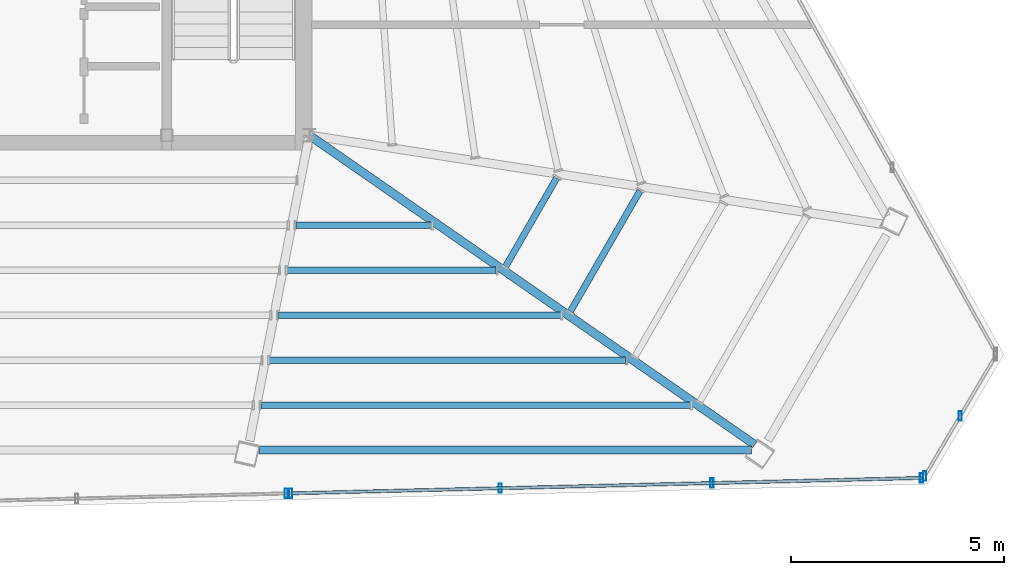
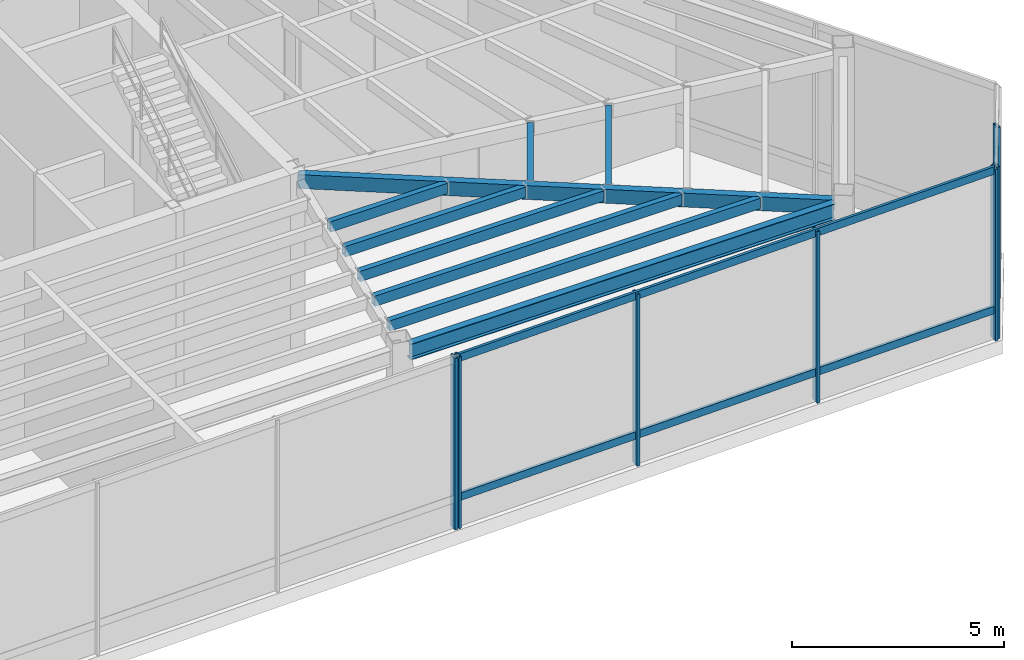
# One storey, part 12 of 25: 9 beams, 9 members, 3 elements without a shape of their own.
"""IFC4 building model written with IfcOpenShell, lengths in metres."""

from ifc_helpers import new_model, si_unit, direction, frame, origin, origin_2d, place, context, subcontext, project, spatial, hollow_rectangle, i_section, extrude, source, transform, mapped, material, material_profile, profile_set, type_object, type_shapes, element, aggregate, save


model = new_model("IFC4")

# Units and contexts
model_context = context("Model", 3, precision=1e-05, world=origin(), true_north=direction((0.0, 1.0)))
body_context = subcontext(model_context, "Body", "Model", "MODEL_VIEW")
ifc_project = project(units=[si_unit("LENGTHUNIT", "METRE"), si_unit("AREAUNIT", "SQUARE_METRE"), si_unit("VOLUMEUNIT", "CUBIC_METRE"), si_unit("PLANEANGLEUNIT", "RADIAN"), si_unit("MASSUNIT", "GRAM", prefix="KILO")], contexts=[model_context])

# Site, building, storey
site_placement = place(None, origin())
site = spatial("IfcSite", under=ifc_project, at=site_placement, CompositionType="ELEMENT")
building_placement = place(site_placement, origin())
building = spatial("IfcBuilding", under=site, at=building_placement, Name="Caelisora Broadcast Tower", CompositionType="ELEMENT")
storey_placement = place(building_placement, frame((0.0, 0.0, 284.60009765625)))
storey = spatial("IfcBuildingStorey", under=building, at=storey_placement, Name="L75", CompositionType="ELEMENT", Elevation=284.60009765625)

# Beams
ifc_material_1 = material(Name="Steel Grade 350 (AS/NZS 3679.1)", Category="steel")
ifc_material_profile_1 = material_profile(ifc_material_1, i_section(OverallWidth=0.19091796875, OverallDepth=0.46044921875, WebThickness=0.010009765625, FlangeThickness=0.01611328125, at=origin_2d()), Name="Steel Grade 350 (AS/NZS 3679.1)")
ifc_profile_set_1 = profile_set([ifc_material_profile_1], Name="Steel Grade 350 (AS/NZS 3679.1)")
beam_type_1 = type_object("IfcBeamType", Name="PG06", PredefinedType="BEAM", material=ifc_profile_set_1)
shared_shape_1 = source(origin(), body_context, "Body", "SweptSolid", [
    extrude(i_section(OverallWidth=0.19091796875, OverallDepth=0.46044921875, WebThickness=0.010009765625, FlangeThickness=0.01611328125, at=origin_2d()), origin(), (0.0, 0.0, 1.0), 11.589111328125),
])
type_shapes(beam_type_1, [shared_shape_1])
beam_1_placement = place(storey_placement, frame((44.314697265625, 9.993408203125, 4.7197265625), z_axis=(1.0, 0.0, 0.0), x_axis=(0.0, 1.0, 0.0)))
element("IfcBeam", 1, at=beam_1_placement, inside=storey, type_object=beam_type_1, Name="L75 beam PG06", PredefinedType="BEAM", context=body_context, shape_type="MappedRepresentation", body=[
    mapped(shared_shape_1, transform((0.0, 0.0, 0.0), scale=1.0)),
])
ifc_material_2 = material(Name="Steel Grade 350 (AS/NZS 1163 C350L0)", Category="steel")
ifc_material_profile_2 = material_profile(ifc_material_2, hollow_rectangle(XDim=0.199951171875, YDim=0.39990234375, WallThickness=0.012451171875, at=origin_2d()), Name="Steel Grade 350 (AS/NZS 1163 C350L0)")
ifc_profile_set_2 = profile_set([ifc_material_profile_2], Name="Steel Grade 350 (AS/NZS 1163 C350L0)")
beam_type_2 = type_object("IfcBeamType", Name="PG07", PredefinedType="BEAM", material=ifc_profile_set_2)
shared_shape_2 = source(origin(), body_context, "Body", "SweptSolid", [
    extrude(hollow_rectangle(XDim=0.199951171875, YDim=0.39990234375, WallThickness=0.012451171875, at=origin_2d()), origin(), (0.0, 0.0, 1.0), 12.703369140625),
])
type_shapes(beam_type_2, [shared_shape_2])
beam_2_placement = place(storey_placement, frame((45.54931640625, 17.36572265625, 4.75), z_axis=(0.821322942022, -0.570463517597, 0.0), x_axis=(0.570463517597, 0.821322942022, 0.0)))
element("IfcBeam", 2, at=beam_2_placement, inside=storey, type_object=beam_type_2, Name="L75 beam PG07", PredefinedType="BEAM", context=body_context, shape_type="MappedRepresentation", body=[
    mapped(shared_shape_2, transform((0.0, 0.0, 0.0), scale=1.0)),
])
ifc_material_profile_3 = material_profile(ifc_material_2, hollow_rectangle(XDim=0.14990234375, YDim=0.300048828125, WallThickness=0.010009765625, at=origin_2d()), Name="Steel Grade 350 (AS/NZS 1163 C350L0)")
ifc_profile_set_3 = profile_set([ifc_material_profile_3], Name="Steel Grade 350 (AS/NZS 1163 C350L0)")
beam_type_3 = type_object("IfcBeamType", Name="SB05", PredefinedType="JOIST", material=ifc_profile_set_3)
shared_shape_3 = source(origin(), body_context, "Body", "SweptSolid", [
    extrude(hollow_rectangle(XDim=0.14990234375, YDim=0.300048828125, WallThickness=0.010009765625, at=origin_2d()), origin(), (0.0, 0.0, 1.0), 2.4111328125),
])
beam_3_placement = place(storey_placement, frame((50.118896484375, 14.31005859375, 4.7998046875), z_axis=(0.499994163758, 0.866028773314, 0.0), x_axis=(-0.866028773314, 0.499994163758, 0.0)))
element("IfcBeam", 3, at=beam_3_placement, inside=storey, type_object=beam_type_3, Name="L75 beam SB05", PredefinedType="JOIST", context=body_context, shape_type="MappedRepresentation", body=[
    mapped(shared_shape_3, transform((0.0, 0.0, 0.0), scale=1.0)),
])
shared_shape_4 = source(origin(), body_context, "Body", "SweptSolid", [
    extrude(hollow_rectangle(XDim=0.14990234375, YDim=0.300048828125, WallThickness=0.010009765625, at=origin_2d()), origin(), (0.0, 0.0, 1.0), 3.281982421875),
])
beam_4_placement = place(storey_placement, frame((51.64208984375, 13.251953125, 4.7998046875), z_axis=(0.500027234542, 0.866009679343, 0.0), x_axis=(-0.866009679343, 0.500027234542, 0.0)))
element("IfcBeam", 4, at=beam_4_placement, inside=storey, type_object=beam_type_3, Name="L75 beam SB05", PredefinedType="JOIST", context=body_context, shape_type="MappedRepresentation", body=[
    mapped(shared_shape_4, transform((0.0, 0.0, 0.0), scale=1.0)),
])
shared_shape_5 = source(origin(), body_context, "Body", "SweptSolid", [
    extrude(hollow_rectangle(XDim=0.14990234375, YDim=0.300048828125, WallThickness=0.010009765625, at=origin_2d()), origin(), (0.0, 0.0, 1.0), 3.188720703125),
])
beam_5_placement = place(storey_placement, frame((45.185791015625, 15.283935546875, 4.7998046875), z_axis=(1.0, 0.0, 0.0), x_axis=(0.0, 1.0, 0.0)))
element("IfcBeam", 5, at=beam_5_placement, inside=storey, type_object=beam_type_3, Name="L75 beam SB05", PredefinedType="JOIST", context=body_context, shape_type="MappedRepresentation", body=[
    mapped(shared_shape_5, transform((0.0, 0.0, 0.0), scale=1.0)),
])
shared_shape_6 = source(origin(), body_context, "Body", "SweptSolid", [
    extrude(hollow_rectangle(XDim=0.14990234375, YDim=0.300048828125, WallThickness=0.010009765625, at=origin_2d()), origin(), (0.0, 0.0, 1.0), 4.91845703125),
])
beam_6_placement = place(storey_placement, frame((44.9794921875, 14.225830078125, 4.7998046875), z_axis=(1.0, 0.0, 0.0), x_axis=(0.0, 1.0, 0.0)))
element("IfcBeam", 6, at=beam_6_placement, inside=storey, type_object=beam_type_3, Name="L75 beam SB05", PredefinedType="JOIST", context=body_context, shape_type="MappedRepresentation", body=[
    mapped(shared_shape_6, transform((0.0, 0.0, 0.0), scale=1.0)),
])
shared_shape_7 = source(origin(), body_context, "Body", "SweptSolid", [
    extrude(hollow_rectangle(XDim=0.14990234375, YDim=0.300048828125, WallThickness=0.010009765625, at=origin_2d()), origin(), (0.0, 0.0, 1.0), 6.648193359375),
])
beam_7_placement = place(storey_placement, frame((44.77294921875, 13.167724609375, 4.7998046875), z_axis=(1.0, 0.0, 0.0), x_axis=(0.0, 1.0, 0.0)))
element("IfcBeam", 7, at=beam_7_placement, inside=storey, type_object=beam_type_3, Name="L75 beam SB05", PredefinedType="JOIST", context=body_context, shape_type="MappedRepresentation", body=[
    mapped(shared_shape_7, transform((0.0, 0.0, 0.0), scale=1.0)),
])
shared_shape_8 = source(origin(), body_context, "Body", "SweptSolid", [
    extrude(hollow_rectangle(XDim=0.14990234375, YDim=0.300048828125, WallThickness=0.010009765625, at=origin_2d()), origin(), (0.0, 0.0, 1.0), 8.378173828125),
])
beam_8_placement = place(storey_placement, frame((44.56640625, 12.109619140625, 4.7998046875), z_axis=(1.0, 0.0, 0.0), x_axis=(0.0, 1.0, 0.0)))
element("IfcBeam", 8, at=beam_8_placement, inside=storey, type_object=beam_type_3, Name="L75 beam SB05", PredefinedType="JOIST", context=body_context, shape_type="MappedRepresentation", body=[
    mapped(shared_shape_8, transform((0.0, 0.0, 0.0), scale=1.0)),
])
shared_shape_9 = source(origin(), body_context, "Body", "SweptSolid", [
    extrude(hollow_rectangle(XDim=0.14990234375, YDim=0.300048828125, WallThickness=0.010009765625, at=origin_2d()), origin(), (0.0, 0.0, 1.0), 10.10791015625),
])
type_shapes(beam_type_3, [shared_shape_3, shared_shape_4, shared_shape_5, shared_shape_6, shared_shape_7, shared_shape_8, shared_shape_9])
beam_9_placement = place(storey_placement, frame((44.360107421875, 11.051513671875, 4.7998046875), z_axis=(1.0, 0.0, 0.0), x_axis=(0.0, 1.0, 0.0)))
element("IfcBeam", 9, at=beam_9_placement, inside=storey, type_object=beam_type_3, Name="L75 beam SB05", PredefinedType="JOIST", context=body_context, shape_type="MappedRepresentation", body=[
    mapped(shared_shape_9, transform((0.0, 0.0, 0.0), scale=1.0)),
])

# Curtain wall, members
ifc_material_3 = material(Name="Unitised Aluminium and Low-E Glass Curtain Wall", Category="glass")
curtain_wall_type = type_object("IfcCurtainWallType", Name="CW-TMD", PredefinedType="NOTDEFINED", material=ifc_material_3)
curtain_wall_1_placement = place(storey_placement, origin())
curtain_wall_1 = element("IfcCurtainWall", 10, at=curtain_wall_1_placement, inside=storey, type_object=curtain_wall_type, Name="L75 curtain wall CW-TMD", PredefinedType="NOTDEFINED")
ifc_material_4 = material(Name="Aluminium 6063-T6 Anodised Terracotta Bronze", Category="aluminium")
ifc_material_profile_4 = material_profile(ifc_material_4, hollow_rectangle(XDim=0.074951171875, YDim=0.219970703125, WallThickness=0.00390625, at=origin_2d()), Name="Aluminium 6063-T6 Anodised Terracotta Bronze")
ifc_profile_set_4 = profile_set([ifc_material_profile_4], Name="Aluminium 6063-T6 Anodised Terracotta Bronze")
member_type_1 = type_object("IfcMemberType", Name="CWM-01", PredefinedType="MULLION", material=ifc_profile_set_4)
shared_shape_10 = source(origin(), body_context, "Body", "SweptSolid", [
    extrude(hollow_rectangle(XDim=0.074951171875, YDim=0.219970703125, WallThickness=0.00390625, at=origin_2d()), origin(), (0.0, 0.0, 1.0), 4.949951171875),
])
type_shapes(member_type_1, [shared_shape_10])
member_1_placement = place(storey_placement, frame((60.81494140625, 10.7919921875, 0.0), z_axis=(0.0, 0.0, 1.0), x_axis=(1.0, 0.0, 0.0)))
member_1 = element("IfcMember", 11, at=member_1_placement, type_object=member_type_1, Name="L75-CW-B00 mullion #1", PredefinedType="MULLION", context=body_context, shape_type="MappedRepresentation", body=[
    mapped(shared_shape_10, transform((0.0, 0.0, 0.0), scale=1.0)),
])
member_2_placement = place(storey_placement, frame((59.9814453125, 9.381103515625, 0.0), z_axis=(0.0, 0.0, 1.0), x_axis=(1.0, 0.0, 0.0)))
member_2 = element("IfcMember", 12, at=member_2_placement, type_object=member_type_1, Name="L75-CW-B00 mullion #2", PredefinedType="MULLION", context=body_context, shape_type="MappedRepresentation", body=[
    mapped(shared_shape_10, transform((0.0, 0.0, 0.0), scale=1.0)),
])
aggregate(curtain_wall_1, [member_1, member_2])

curtain_wall_2_placement = place(storey_placement, origin())
curtain_wall_2 = element("IfcCurtainWall", 13, at=curtain_wall_2_placement, inside=storey, type_object=curtain_wall_type, Name="L75 curtain wall CW-TMD", PredefinedType="NOTDEFINED")
member_3_placement = place(storey_placement, frame((59.906005859375, 9.3369140625, 0.0), z_axis=(0.0, 0.0, 1.0), x_axis=(1.0, 0.0, 0.0)))
member_3 = element("IfcMember", 14, at=member_3_placement, type_object=member_type_1, Name="L75-CW-B05 mullion #0", PredefinedType="MULLION", context=body_context, shape_type="MappedRepresentation", body=[
    mapped(shared_shape_10, transform((0.0, 0.0, 0.0), scale=1.0)),
])
member_4_placement = place(storey_placement, frame((54.976318359375, 9.216552734375, 0.0), z_axis=(0.0, 0.0, 1.0), x_axis=(1.0, 0.0, 0.0)))
member_4 = element("IfcMember", 15, at=member_4_placement, type_object=member_type_1, Name="L75-CW-B05 mullion #1", PredefinedType="MULLION", context=body_context, shape_type="MappedRepresentation", body=[
    mapped(shared_shape_10, transform((0.0, 0.0, 0.0), scale=1.0)),
])
member_5_placement = place(storey_placement, frame((49.99658203125, 9.094970703125, 0.0), z_axis=(0.0, 0.0, 1.0), x_axis=(1.0, 0.0, 0.0)))
member_5 = element("IfcMember", 16, at=member_5_placement, type_object=member_type_1, Name="L75-CW-B05 mullion #2", PredefinedType="MULLION", context=body_context, shape_type="MappedRepresentation", body=[
    mapped(shared_shape_10, transform((0.0, 0.0, 0.0), scale=1.0)),
])
member_6_placement = place(storey_placement, frame((45.06689453125, 8.974609375, 0.0), z_axis=(0.0, 0.0, 1.0), x_axis=(1.0, 0.0, 0.0)))
member_6 = element("IfcMember", 17, at=member_6_placement, type_object=member_type_1, Name="L75-CW-B05 mullion #3", PredefinedType="MULLION", context=body_context, shape_type="MappedRepresentation", body=[
    mapped(shared_shape_10, transform((0.0, 0.0, 0.0), scale=1.0)),
])

# Curtain wall, member
curtain_wall_3_placement = place(storey_placement, origin())
curtain_wall_3 = element("IfcCurtainWall", 18, at=curtain_wall_3_placement, inside=storey, type_object=curtain_wall_type, Name="L75 curtain wall CW-TMD", PredefinedType="NOTDEFINED")
member_7_placement = place(storey_placement, frame((44.95703125, 8.971923828125, 0.0), z_axis=(0.0, 0.0, 1.0), x_axis=(1.0, 0.0, 0.0)))
member_7 = element("IfcMember", 19, at=member_7_placement, type_object=member_type_1, Name="L75-CW-B06 mullion #0", PredefinedType="MULLION", context=body_context, shape_type="MappedRepresentation", body=[
    mapped(shared_shape_10, transform((0.0, 0.0, 0.0), scale=1.0)),
])
aggregate(curtain_wall_3, [member_7])

# Member
ifc_material_profile_5 = material_profile(ifc_material_4, hollow_rectangle(XDim=0.074951171875, YDim=0.219970703125, WallThickness=0.00390625, at=origin_2d()), Name="Aluminium 6063-T6 Anodised Terracotta Bronze")
ifc_profile_set_5 = profile_set([ifc_material_profile_5], Name="Aluminium 6063-T6 Anodised Terracotta Bronze")
member_type_2 = type_object("IfcMemberType", Name="CWT-04", PredefinedType="USERDEFINED", material=ifc_profile_set_5)
shared_shape_11 = source(origin(), body_context, "Body", "SweptSolid", [
    extrude(hollow_rectangle(XDim=0.074951171875, YDim=0.219970703125, WallThickness=0.00390625, at=origin_2d()), origin(), (0.0, 0.0, 1.0), 14.843505859375),
])
type_shapes(member_type_2, [shared_shape_11])
member_8_placement = place(storey_placement, frame((59.906005859375, 9.3369140625, 0.849853515625), z_axis=(-0.999702074272, -0.024408250575, 0.0), x_axis=(0.024408250575, -0.999702074272, 0.0)))
member_8 = element("IfcMember", 20, at=member_8_placement, type_object=member_type_2, Name="L75-CW-B05 transom #1", ObjectType="TRANSOM", PredefinedType="USERDEFINED", context=body_context, shape_type="MappedRepresentation", body=[
    mapped(shared_shape_11, transform((0.0, 0.0, 0.0), scale=1.0)),
])

member_9_placement = place(storey_placement, frame((59.906005859375, 9.3369140625, 4.869873046875), z_axis=(-0.999702074272, -0.024408250575, 0.0), x_axis=(0.024408250575, -0.999702074272, 0.0)))
member_9 = element("IfcMember", 21, at=member_9_placement, type_object=member_type_2, Name="L75-CW-B05 transom #2", ObjectType="TRANSOM", PredefinedType="USERDEFINED", context=body_context, shape_type="MappedRepresentation", body=[
    mapped(shared_shape_11, transform((0.0, 0.0, 0.0), scale=1.0)),
])

aggregate(curtain_wall_2, [member_3, member_4, member_5, member_6, member_8, member_9])

save(model, "model.ifc")
